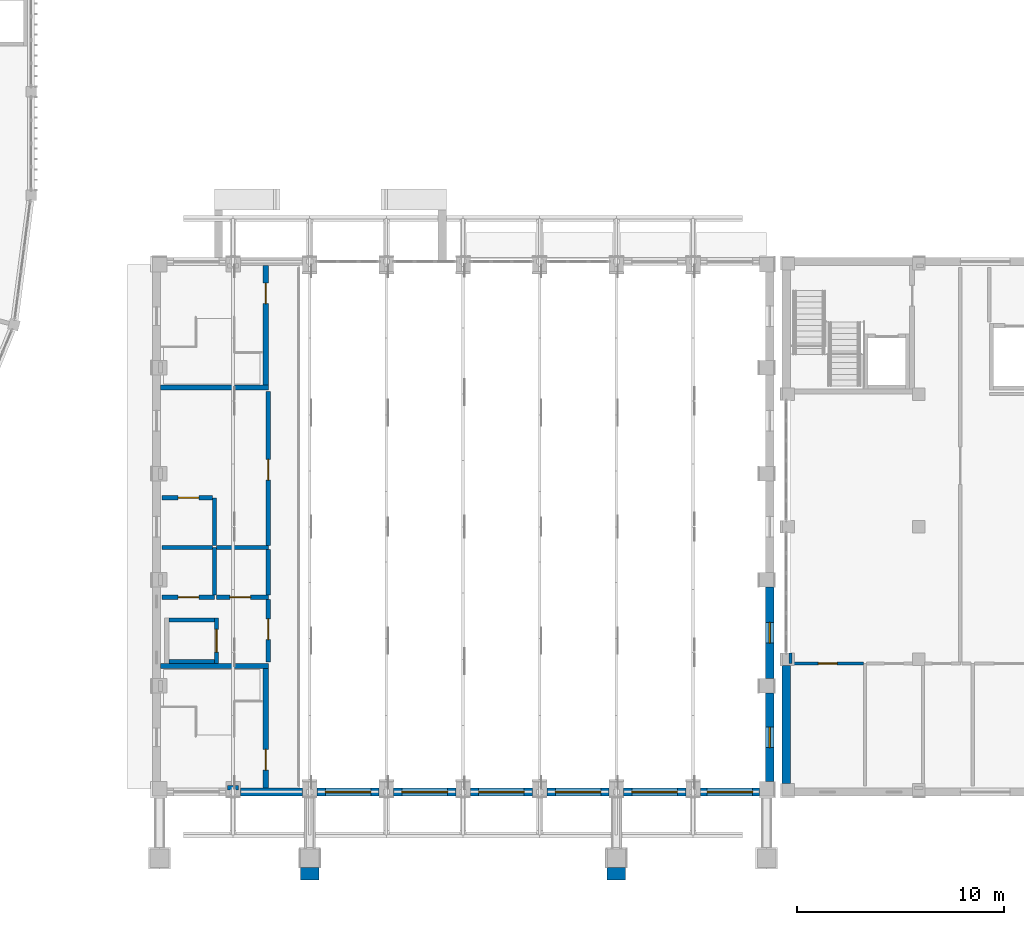
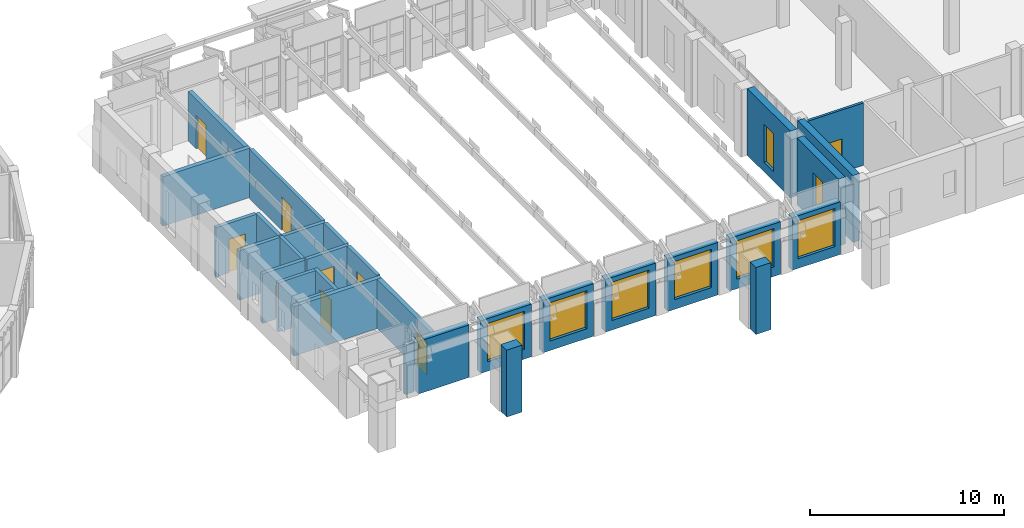
# One storey, part 58 of 99: 32 walls, 9 doors, 8 windows, 17 openings.
"""IFC4 building model written with IfcOpenShell, lengths in metres."""

from ifc_helpers import new_model, si_unit, direction, frame, frame_2d, origin, place, context, subcontext, project, spatial, rectangle, extrude, material, layer, layer_set, type_object, element, fill, save


model = new_model("IFC4")

# Units and contexts
model_context = context("Model", 3, precision=1e-05, world=origin(), true_north=direction((0.0, 1.0)))
body_context = subcontext(model_context, "Body", "Model", "MODEL_VIEW")
ifc_project = project(units=[si_unit("LENGTHUNIT", "METRE"), si_unit("AREAUNIT", "SQUARE_METRE"), si_unit("VOLUMEUNIT", "CUBIC_METRE"), si_unit("PLANEANGLEUNIT", "RADIAN"), si_unit("MASSUNIT", "GRAM", prefix="KILO")], contexts=[model_context])

# Site, building, storey
site_placement = place(None, origin())
site = spatial("IfcSite", under=ifc_project, at=site_placement, CompositionType="ELEMENT")
building_placement = place(site_placement, origin())
building = spatial("IfcBuilding", under=site, at=building_placement, Name="Wasatch Bagh Community Centre", CompositionType="ELEMENT")
storey_placement = place(building_placement, frame((0.0, 0.0, 4.199951171875)))
storey = spatial("IfcBuildingStorey", under=building, at=storey_placement, Name="L01", CompositionType="ELEMENT", Elevation=4.199951171875)

# Walls
ifc_material_1 = material(Name="Concrete C40", Category="concrete")
ifc_layer_1 = layer(ifc_material_1, 0.60009765625)
ifc_layer_set_1 = layer_set([ifc_layer_1], Name="Concrete C40")
wall_type_1 = type_object("IfcWallType", Name="CL-W4", PredefinedType="STANDARD", material=ifc_layer_set_1)
for number, where, z_axis, x_axis, name in (
    (1, (73.14990234375, 2.25, 0.0), (0.0, 0.0, 1.0), (1.0, 0.0, 0.0), "CL-W4 pier buttress DHP2"),
    (2, (87.949951171875, 2.25, 0.0), (0.0, 0.0, 1.0), (1.0, 0.0, 0.0), "CL-W4 pier buttress DHP3"),
):
    element("IfcWall", number, at=place(storey_placement, frame(where, z_axis=z_axis, x_axis=x_axis)), inside=storey, type_object=wall_type_1, Name=name, PredefinedType="STANDARD", context=body_context, shape_type="SweptSolid", body=[
        extrude(rectangle(XDim=0.900146484375, YDim=0.60009765625, at=frame_2d((0.4501953125, 0.0))), origin(), (0.0, 0.0, 1.0), 4.199951171875),
    ])

# Wall, opening, door
ifc_layer_2 = layer(ifc_material_1, 0.199951171875)
ifc_layer_set_2 = layer_set([ifc_layer_2], Name="Concrete C40")
wall_type_2 = type_object("IfcWallType", Name="DH RC WALL 200 shear", PredefinedType="SHEAR", material=ifc_layer_set_2)
wall_1_placement = place(storey_placement, frame((69.10009765625, 12.39990234375, 0.0), z_axis=(0.0, 0.0, 1.0), x_axis=(0.0, 1.0, 0.0)))
wall_1 = element("IfcWall", 3, at=wall_1_placement, inside=storey, type_object=wall_type_2, Name="DH.core.LF4.L01.E", PredefinedType="SHEAR", context=body_context, shape_type="SweptSolid", body=[
    extrude(rectangle(XDim=2.2001953125, YDim=0.199951171875, at=frame_2d((1.10009765625, 0.0))), origin(), (0.0, 0.0, 1.0), 3.10009765625),
])
opening_1_placement = place(wall_1_placement, frame((0.550048828125, 0.0, 0.0)))
opening_1 = element("IfcOpeningElement", 4, at=opening_1_placement, cuts=wall_1, Name="Opening 1D-01", PredefinedType="OPENING", context=body_context, shape_type="SweptSolid", body=[
    extrude(rectangle(XDim=1.10009765625, YDim=2.10009765625, at=frame_2d((0.550048828125, 1.050048828125))), frame((0.0, 0.10986328125, 0.0), z_axis=(0.0, -1.0, 0.0), x_axis=(1.0, 0.0, 0.0)), (0.0, 0.0, 1.0), 0.219970703125),
])
ifc_material_2 = material(Name="Stainless steel", Category="steel")
door_type_1 = type_object("IfcDoorType", Name="DH door 1100x2100 landing", OperationType="SLIDING_TO_LEFT", PredefinedType="DOOR", material=ifc_material_2)
door_1_placement = place(opening_1_placement, origin())
door_1 = element("IfcDoor", 5, at=door_1_placement, inside=storey, type_object=door_type_1, Name="DH.door.L01.1D-01", OperationType="SLIDING_TO_LEFT", OverallHeight=2.10009765625, OverallWidth=1.10009765625, PredefinedType="DOOR", context=body_context, shape_type="SweptSolid", body=[
    extrude(rectangle(XDim=1.10009765625, YDim=2.10009765625, at=frame_2d((0.550048828125, 1.050048828125))), frame((0.0, 0.02490234375, 0.0), z_axis=(0.0, -1.0, 0.0), x_axis=(1.0, 0.0, 0.0)), (0.0, 0.0, 1.0), 0.050048828125),
])
fill(opening_1, door_1)

# Walls
for number, where, z_axis, x_axis, name in (
    (6, (66.800048828125, 12.5, 0.0), (0.0, 0.0, 1.0), (1.0, 0.0, 0.0), "DH.core.LF4.L01.S"),
    (7, (66.800048828125, 14.5, 0.0), (0.0, 0.0, 1.0), (1.0, 0.0, 0.0), "DH.core.LF4.L01.N"),
):
    element("IfcWall", number, at=place(storey_placement, frame(where, z_axis=z_axis, x_axis=x_axis)), inside=storey, type_object=wall_type_2, Name=name, PredefinedType="SHEAR", context=body_context, shape_type="SweptSolid", body=[
        extrude(rectangle(XDim=2.199951171875, YDim=0.199951171875, at=frame_2d((1.10009765625, 0.0))), origin(), (0.0, 0.0, 1.0), 3.10009765625),
    ])

# Wall, opening, door
ifc_layer_3 = layer(ifc_material_1, 0.25)
ifc_layer_set_3 = layer_set([ifc_layer_3], Name="Concrete C40")
wall_type_3 = type_object("IfcWallType", Name="DH RC WALL 250 shear", PredefinedType="SHEAR", material=ifc_layer_set_3)
wall_2_placement = place(storey_placement, frame((71.47509765625, 6.39990234375, 0.0), z_axis=(0.0, 0.0, 1.0), x_axis=(0.0, 1.0, 0.0)))
wall_2 = element("IfcWall", 8, at=wall_2_placement, inside=storey, type_object=wall_type_3, Name="DH.core.ST6.L01.E", PredefinedType="SHEAR", context=body_context, shape_type="SweptSolid", body=[
    extrude(rectangle(XDim=5.75, YDim=0.25, at=frame_2d((2.875, 0.0))), origin(), (0.0, 0.0, 1.0), 3.10009765625),
])
opening_2_placement = place(wall_2_placement, frame((0.85009765625, 0.0, 0.0)))
opening_2 = element("IfcOpeningElement", 9, at=opening_2_placement, cuts=wall_2, Name="Opening 1D-02", PredefinedType="OPENING", context=body_context, shape_type="SweptSolid", body=[
    extrude(rectangle(XDim=1.0, YDim=2.10009765625, at=frame_2d((0.5, 1.050048828125))), frame((0.0, 0.135009765625, 0.0), z_axis=(0.0, -1.0, 0.0), x_axis=(1.0, 0.0, 0.0)), (0.0, 0.0, 1.0), 0.27001953125),
])
ifc_material_3 = material(Name="Painted hardwood timber", Category="wood")
door_type_2 = type_object("IfcDoorType", Name="DH door 1000x2100 single", OperationType="SINGLE_SWING_LEFT", PredefinedType="DOOR", material=ifc_material_3)
door_2_placement = place(opening_2_placement, origin())
door_2 = element("IfcDoor", 10, at=door_2_placement, inside=storey, type_object=door_type_2, Name="DH.door.L01.1D-02", OperationType="SINGLE_SWING_LEFT", OverallHeight=2.10009765625, OverallWidth=1.0, PredefinedType="DOOR", context=body_context, shape_type="SweptSolid", body=[
    extrude(rectangle(XDim=1.0, YDim=2.10009765625, at=frame_2d((0.5, 1.050048828125))), frame((0.0, 0.02490234375, 0.0), z_axis=(0.0, -1.0, 0.0), x_axis=(1.0, 0.0, 0.0)), (0.0, 0.0, 1.0), 0.050048828125),
])
fill(opening_2, door_2)

# Wall
wall_3_placement = place(storey_placement, frame((66.39990234375, 12.27490234375, 0.0), z_axis=(0.0, 0.0, 1.0), x_axis=(1.0, 0.0, 0.0)))
element("IfcWall", 11, at=wall_3_placement, inside=storey, type_object=wall_type_3, Name="DH.core.ST6.L01.N", PredefinedType="SHEAR", context=body_context, shape_type="SweptSolid", body=[
    extrude(rectangle(XDim=5.2001953125, YDim=0.25, at=frame_2d((2.60009765625, 0.0))), origin(), (0.0, 0.0, 1.0), 3.10009765625),
])

# Wall, opening, door
wall_4_placement = place(storey_placement, frame((71.47509765625, 25.85009765625, 0.0), z_axis=(0.0, 0.0, 1.0), x_axis=(0.0, 1.0, 0.0)))
wall_4 = element("IfcWall", 12, at=wall_4_placement, inside=storey, type_object=wall_type_3, Name="DH.core.ST7.L01.E", PredefinedType="SHEAR", context=body_context, shape_type="SweptSolid", body=[
    extrude(rectangle(XDim=5.75, YDim=0.25, at=frame_2d((2.875, 0.0))), origin(), (0.0, 0.0, 1.0), 3.10009765625),
])
opening_3_placement = place(wall_4_placement, frame((3.914306640625, 0.0, 0.0)))
opening_3 = element("IfcOpeningElement", 13, at=opening_3_placement, cuts=wall_4, Name="Opening 1D-07", PredefinedType="OPENING", context=body_context, shape_type="SweptSolid", body=[
    extrude(rectangle(XDim=1.0, YDim=2.10009765625, at=frame_2d((0.5, 1.050048828125))), frame((0.0, 0.135009765625, 0.0), z_axis=(0.0, -1.0, 0.0), x_axis=(1.0, 0.0, 0.0)), (0.0, 0.0, 1.0), 0.27001953125),
])
door_3_placement = place(opening_3_placement, origin())
door_3 = element("IfcDoor", 14, at=door_3_placement, inside=storey, type_object=door_type_2, Name="DH.door.L01.1D-07", OperationType="SINGLE_SWING_LEFT", OverallHeight=2.10009765625, OverallWidth=1.0, PredefinedType="DOOR", context=body_context, shape_type="SweptSolid", body=[
    extrude(rectangle(XDim=1.0, YDim=2.10009765625, at=frame_2d((0.5, 1.050048828125))), frame((0.0, 0.02490234375, 0.0), z_axis=(0.0, -1.0, 0.0), x_axis=(1.0, 0.0, 0.0)), (0.0, 0.0, 1.0), 0.050048828125),
])
fill(opening_3, door_3)

# Walls
wall_5_placement = place(storey_placement, frame((66.39990234375, 25.72509765625, 0.0), z_axis=(0.0, 0.0, 1.0), x_axis=(1.0, 0.0, 0.0)))
element("IfcWall", 15, at=wall_5_placement, inside=storey, type_object=wall_type_3, Name="DH.core.ST7.L01.S", PredefinedType="SHEAR", context=body_context, shape_type="SweptSolid", body=[
    extrude(rectangle(XDim=5.2001953125, YDim=0.25, at=frame_2d((2.60009765625, 0.0))), origin(), (0.0, 0.0, 1.0), 3.10009765625),
])
ifc_layer_4 = layer(ifc_material_1, 0.39990234375)
ifc_layer_set_4 = layer_set([ifc_layer_4], Name="Concrete C40")
wall_type_4 = type_object("IfcWallType", Name="DH RC WALL 400 solidwall", PredefinedType="SOLIDWALL", material=ifc_layer_set_4)
wall_6_placement = place(storey_placement, frame((73.25, 6.199951171875, 0.0), z_axis=(0.0, 0.0, 1.0), x_axis=(-1.0, 0.0, 0.0)))
element("IfcWall", 16, at=wall_6_placement, inside=storey, type_object=wall_type_4, Name="DH.wall.L01.02", PredefinedType="SOLIDWALL", context=body_context, shape_type="SweptSolid", body=[
    extrude(rectangle(XDim=3.0, YDim=0.39990234375, at=frame_2d((1.5, 0.0))), origin(), (0.0, 0.0, 1.0), 3.300048828125),
])

# Wall, opening, window
wall_7_placement = place(storey_placement, frame((76.949951171875, 6.199951171875, 0.0), z_axis=(0.0, 0.0, 1.0), x_axis=(-1.0, 0.0, 0.0)))
wall_7 = element("IfcWall", 17, at=wall_7_placement, inside=storey, type_object=wall_type_4, Name="DH.wall.L01.03", PredefinedType="SOLIDWALL", context=body_context, shape_type="SweptSolid", body=[
    extrude(rectangle(XDim=3.0, YDim=0.39990234375, at=frame_2d((1.5, 0.0))), origin(), (0.0, 0.0, 1.0), 3.300048828125),
])
opening_4_placement = place(wall_7_placement, frame((0.39990234375, 0.0, 0.60009765625)))
opening_4 = element("IfcOpeningElement", 18, at=opening_4_placement, cuts=wall_7, Name="Opening 1D-W02", PredefinedType="OPENING", context=body_context, shape_type="SweptSolid", body=[
    extrude(rectangle(XDim=2.199951171875, YDim=2.39990234375, at=frame_2d((1.10009765625, 1.199951171875))), frame((0.0, 0.2099609375, 0.0), z_axis=(0.0, -1.0, 0.0), x_axis=(1.0, 0.0, 0.0)), (0.0, 0.0, 1.0), 0.419921875),
])
ifc_material_4 = material(Name="Aluminium frame with double glazing", Category="aluminium")
window_type_1 = type_object("IfcWindowType", Name="DH window 2200x2400", PartitioningType="SINGLE_PANEL", PredefinedType="WINDOW", material=ifc_material_4)
window_1_placement = place(opening_4_placement, origin())
window_1 = element("IfcWindow", 19, at=window_1_placement, inside=storey, type_object=window_type_1, Name="DH.window.L01.1D-W02", OverallHeight=2.39990234375, OverallWidth=2.199951171875, PartitioningType="SINGLE_PANEL", PredefinedType="WINDOW", context=body_context, shape_type="SweptSolid", body=[
    extrude(rectangle(XDim=2.199951171875, YDim=2.39990234375, at=frame_2d((1.10009765625, 1.199951171875))), frame((0.0, 0.030029296875, 0.0), z_axis=(0.0, -1.0, 0.0), x_axis=(1.0, 0.0, 0.0)), (0.0, 0.0, 1.0), 0.06005859375),
])
fill(opening_4, window_1)

wall_8_placement = place(storey_placement, frame((80.64990234375, 6.199951171875, 0.0), z_axis=(0.0, 0.0, 1.0), x_axis=(-1.0, 0.0, 0.0)))
wall_8 = element("IfcWall", 20, at=wall_8_placement, inside=storey, type_object=wall_type_4, Name="DH.wall.L01.04", PredefinedType="SOLIDWALL", context=body_context, shape_type="SweptSolid", body=[
    extrude(rectangle(XDim=3.0, YDim=0.39990234375, at=frame_2d((1.5, 0.0))), origin(), (0.0, 0.0, 1.0), 3.300048828125),
])
opening_5_placement = place(wall_8_placement, frame((0.39990234375, 0.0, 0.60009765625)))
opening_5 = element("IfcOpeningElement", 21, at=opening_5_placement, cuts=wall_8, Name="Opening 1D-W03", PredefinedType="OPENING", context=body_context, shape_type="SweptSolid", body=[
    extrude(rectangle(XDim=2.199951171875, YDim=2.39990234375, at=frame_2d((1.10009765625, 1.199951171875))), frame((0.0, 0.2099609375, 0.0), z_axis=(0.0, -1.0, 0.0), x_axis=(1.0, 0.0, 0.0)), (0.0, 0.0, 1.0), 0.419921875),
])
window_2_placement = place(opening_5_placement, origin())
window_2 = element("IfcWindow", 22, at=window_2_placement, inside=storey, type_object=window_type_1, Name="DH.window.L01.1D-W03", OverallHeight=2.39990234375, OverallWidth=2.199951171875, PartitioningType="SINGLE_PANEL", PredefinedType="WINDOW", context=body_context, shape_type="SweptSolid", body=[
    extrude(rectangle(XDim=2.199951171875, YDim=2.39990234375, at=frame_2d((1.10009765625, 1.199951171875))), frame((0.0, 0.030029296875, 0.0), z_axis=(0.0, -1.0, 0.0), x_axis=(1.0, 0.0, 0.0)), (0.0, 0.0, 1.0), 0.06005859375),
])
fill(opening_5, window_2)

wall_9_placement = place(storey_placement, frame((84.35009765625, 6.199951171875, 0.0), z_axis=(0.0, 0.0, 1.0), x_axis=(-1.0, 0.0, 0.0)))
wall_9 = element("IfcWall", 23, at=wall_9_placement, inside=storey, type_object=wall_type_4, Name="DH.wall.L01.05", PredefinedType="SOLIDWALL", context=body_context, shape_type="SweptSolid", body=[
    extrude(rectangle(XDim=3.0, YDim=0.39990234375, at=frame_2d((1.5, 0.0))), origin(), (0.0, 0.0, 1.0), 3.300048828125),
])
opening_6_placement = place(wall_9_placement, frame((0.39990234375, 0.0, 0.60009765625)))
opening_6 = element("IfcOpeningElement", 24, at=opening_6_placement, cuts=wall_9, Name="Opening 1D-W04", PredefinedType="OPENING", context=body_context, shape_type="SweptSolid", body=[
    extrude(rectangle(XDim=2.199951171875, YDim=2.39990234375, at=frame_2d((1.10009765625, 1.199951171875))), frame((0.0, 0.2099609375, 0.0), z_axis=(0.0, -1.0, 0.0), x_axis=(1.0, 0.0, 0.0)), (0.0, 0.0, 1.0), 0.419921875),
])
window_3_placement = place(opening_6_placement, origin())
window_3 = element("IfcWindow", 25, at=window_3_placement, inside=storey, type_object=window_type_1, Name="DH.window.L01.1D-W04", OverallHeight=2.39990234375, OverallWidth=2.199951171875, PartitioningType="SINGLE_PANEL", PredefinedType="WINDOW", context=body_context, shape_type="SweptSolid", body=[
    extrude(rectangle(XDim=2.199951171875, YDim=2.39990234375, at=frame_2d((1.10009765625, 1.199951171875))), frame((0.0, 0.030029296875, 0.0), z_axis=(0.0, -1.0, 0.0), x_axis=(1.0, 0.0, 0.0)), (0.0, 0.0, 1.0), 0.06005859375),
])
fill(opening_6, window_3)

wall_10_placement = place(storey_placement, frame((88.050048828125, 6.199951171875, 0.0), z_axis=(0.0, 0.0, 1.0), x_axis=(-1.0, 0.0, 0.0)))
wall_10 = element("IfcWall", 26, at=wall_10_placement, inside=storey, type_object=wall_type_4, Name="DH.wall.L01.06", PredefinedType="SOLIDWALL", context=body_context, shape_type="SweptSolid", body=[
    extrude(rectangle(XDim=3.0, YDim=0.39990234375, at=frame_2d((1.5, 0.0))), origin(), (0.0, 0.0, 1.0), 3.300048828125),
])
opening_7_placement = place(wall_10_placement, frame((0.39990234375, 0.0, 0.60009765625)))
opening_7 = element("IfcOpeningElement", 27, at=opening_7_placement, cuts=wall_10, Name="Opening 1D-W05", PredefinedType="OPENING", context=body_context, shape_type="SweptSolid", body=[
    extrude(rectangle(XDim=2.199951171875, YDim=2.39990234375, at=frame_2d((1.10009765625, 1.199951171875))), frame((0.0, 0.2099609375, 0.0), z_axis=(0.0, -1.0, 0.0), x_axis=(1.0, 0.0, 0.0)), (0.0, 0.0, 1.0), 0.419921875),
])
window_4_placement = place(opening_7_placement, origin())
window_4 = element("IfcWindow", 28, at=window_4_placement, inside=storey, type_object=window_type_1, Name="DH.window.L01.1D-W05", OverallHeight=2.39990234375, OverallWidth=2.199951171875, PartitioningType="SINGLE_PANEL", PredefinedType="WINDOW", context=body_context, shape_type="SweptSolid", body=[
    extrude(rectangle(XDim=2.199951171875, YDim=2.39990234375, at=frame_2d((1.10009765625, 1.199951171875))), frame((0.0, 0.030029296875, 0.0), z_axis=(0.0, -1.0, 0.0), x_axis=(1.0, 0.0, 0.0)), (0.0, 0.0, 1.0), 0.06005859375),
])
fill(opening_7, window_4)

wall_11_placement = place(storey_placement, frame((91.75, 6.199951171875, 0.0), z_axis=(0.0, 0.0, 1.0), x_axis=(-1.0, 0.0, 0.0)))
wall_11 = element("IfcWall", 29, at=wall_11_placement, inside=storey, type_object=wall_type_4, Name="DH.wall.L01.07", PredefinedType="SOLIDWALL", context=body_context, shape_type="SweptSolid", body=[
    extrude(rectangle(XDim=3.0, YDim=0.39990234375, at=frame_2d((1.5, 0.0))), origin(), (0.0, 0.0, 1.0), 3.300048828125),
])
opening_8_placement = place(wall_11_placement, frame((0.39990234375, 0.0, 0.60009765625)))
opening_8 = element("IfcOpeningElement", 30, at=opening_8_placement, cuts=wall_11, Name="Opening 1D-W06", PredefinedType="OPENING", context=body_context, shape_type="SweptSolid", body=[
    extrude(rectangle(XDim=2.199951171875, YDim=2.39990234375, at=frame_2d((1.10009765625, 1.199951171875))), frame((0.0, 0.2099609375, 0.0), z_axis=(0.0, -1.0, 0.0), x_axis=(1.0, 0.0, 0.0)), (0.0, 0.0, 1.0), 0.419921875),
])
window_5_placement = place(opening_8_placement, origin())
window_5 = element("IfcWindow", 31, at=window_5_placement, inside=storey, type_object=window_type_1, Name="DH.window.L01.1D-W06", OverallHeight=2.39990234375, OverallWidth=2.199951171875, PartitioningType="SINGLE_PANEL", PredefinedType="WINDOW", context=body_context, shape_type="SweptSolid", body=[
    extrude(rectangle(XDim=2.199951171875, YDim=2.39990234375, at=frame_2d((1.10009765625, 1.199951171875))), frame((0.0, 0.030029296875, 0.0), z_axis=(0.0, -1.0, 0.0), x_axis=(1.0, 0.0, 0.0)), (0.0, 0.0, 1.0), 0.06005859375),
])
fill(opening_8, window_5)

wall_12_placement = place(storey_placement, frame((95.300048828125, 6.199951171875, 0.0), z_axis=(0.0, 0.0, 1.0), x_axis=(-1.0, 0.0, 0.0)))
wall_12 = element("IfcWall", 32, at=wall_12_placement, inside=storey, type_object=wall_type_4, Name="DH.wall.L01.08", PredefinedType="SOLIDWALL", context=body_context, shape_type="SweptSolid", body=[
    extrude(rectangle(XDim=2.85009765625, YDim=0.39990234375, at=frame_2d((1.425048828125, 0.0))), origin(), (0.0, 0.0, 1.0), 3.300048828125),
])
opening_9_placement = place(wall_12_placement, frame((0.324951171875, 0.0, 0.60009765625)))
opening_9 = element("IfcOpeningElement", 33, at=opening_9_placement, cuts=wall_12, Name="Opening 1D-W07", PredefinedType="OPENING", context=body_context, shape_type="SweptSolid", body=[
    extrude(rectangle(XDim=2.199951171875, YDim=2.39990234375, at=frame_2d((1.10009765625, 1.199951171875))), frame((0.0, 0.2099609375, 0.0), z_axis=(0.0, -1.0, 0.0), x_axis=(1.0, 0.0, 0.0)), (0.0, 0.0, 1.0), 0.419921875),
])
window_6_placement = place(opening_9_placement, origin())
window_6 = element("IfcWindow", 34, at=window_6_placement, inside=storey, type_object=window_type_1, Name="DH.window.L01.1D-W07", OverallHeight=2.39990234375, OverallWidth=2.199951171875, PartitioningType="SINGLE_PANEL", PredefinedType="WINDOW", context=body_context, shape_type="SweptSolid", body=[
    extrude(rectangle(XDim=2.199951171875, YDim=2.39990234375, at=frame_2d((1.10009765625, 1.199951171875))), frame((0.0, 0.030029296875, 0.0), z_axis=(0.0, -1.0, 0.0), x_axis=(1.0, 0.0, 0.0)), (0.0, 0.0, 1.0), 0.06005859375),
])
fill(opening_9, window_6)

wall_13_placement = place(storey_placement, frame((95.800048828125, 6.699951171875, 0.0), z_axis=(0.0, 0.0, 1.0), x_axis=(0.0, 1.0, 0.0)))
wall_13 = element("IfcWall", 35, at=wall_13_placement, inside=storey, type_object=wall_type_4, Name="DH.wall.L01.22", PredefinedType="SOLIDWALL", context=body_context, shape_type="SweptSolid", body=[
    extrude(rectangle(XDim=4.27001953125, YDim=0.39990234375, at=frame_2d((2.135009765625, 0.0))), origin(), (0.0, 0.0, 1.0), 4.199951171875),
])
opening_10_placement = place(wall_13_placement, frame((1.635009765625, 0.0, 0.60009765625)))
opening_10 = element("IfcOpeningElement", 36, at=opening_10_placement, cuts=wall_13, Name="Opening 1D-W17", PredefinedType="OPENING", context=body_context, shape_type="SweptSolid", body=[
    extrude(rectangle(XDim=1.0, YDim=2.39990234375, at=frame_2d((0.5, 1.199951171875))), frame((0.0, 0.2099609375, 0.0), z_axis=(0.0, -1.0, 0.0), x_axis=(1.0, 0.0, 0.0)), (0.0, 0.0, 1.0), 0.419921875),
])
window_type_2 = type_object("IfcWindowType", Name="DH window 1000x2400", PartitioningType="SINGLE_PANEL", PredefinedType="WINDOW", material=ifc_material_4)
window_7_placement = place(opening_10_placement, origin())
window_7 = element("IfcWindow", 37, at=window_7_placement, inside=storey, type_object=window_type_2, Name="DH.window.L01.1D-W17", OverallHeight=2.39990234375, OverallWidth=1.0, PartitioningType="SINGLE_PANEL", PredefinedType="WINDOW", context=body_context, shape_type="SweptSolid", body=[
    extrude(rectangle(XDim=1.0, YDim=2.39990234375, at=frame_2d((0.5, 1.199951171875))), frame((0.0, 0.030029296875, 0.0), z_axis=(0.0, -1.0, 0.0), x_axis=(1.0, 0.0, 0.0)), (0.0, 0.0, 1.0), 0.06005859375),
])
fill(opening_10, window_7)

wall_14_placement = place(storey_placement, frame((95.800048828125, 11.669921875, 0.0), z_axis=(0.0, 0.0, 1.0), x_axis=(0.0, 1.0, 0.0)))
wall_14 = element("IfcWall", 38, at=wall_14_placement, inside=storey, type_object=wall_type_4, Name="DH.wall.L01.23", PredefinedType="SOLIDWALL", context=body_context, shape_type="SweptSolid", body=[
    extrude(rectangle(XDim=4.420166015625, YDim=0.39990234375, at=frame_2d((2.2099609375, 0.0))), origin(), (0.0, 0.0, 1.0), 4.199951171875),
])
opening_11_placement = place(wall_14_placement, frame((1.7099609375, 0.0, 0.60009765625)))
opening_11 = element("IfcOpeningElement", 39, at=opening_11_placement, cuts=wall_14, Name="Opening 1D-W18", PredefinedType="OPENING", context=body_context, shape_type="SweptSolid", body=[
    extrude(rectangle(XDim=1.0, YDim=2.39990234375, at=frame_2d((0.5, 1.199951171875))), frame((0.0, 0.2099609375, 0.0), z_axis=(0.0, -1.0, 0.0), x_axis=(1.0, 0.0, 0.0)), (0.0, 0.0, 1.0), 0.419921875),
])
window_8_placement = place(opening_11_placement, origin())
window_8 = element("IfcWindow", 40, at=window_8_placement, inside=storey, type_object=window_type_2, Name="DH.window.L01.1D-W18", OverallHeight=2.39990234375, OverallWidth=1.0, PartitioningType="SINGLE_PANEL", PredefinedType="WINDOW", context=body_context, shape_type="SweptSolid", body=[
    extrude(rectangle(XDim=1.0, YDim=2.39990234375, at=frame_2d((0.5, 1.199951171875))), frame((0.0, 0.030029296875, 0.0), z_axis=(0.0, -1.0, 0.0), x_axis=(1.0, 0.0, 0.0)), (0.0, 0.0, 1.0), 0.06005859375),
])
fill(opening_11, window_8)

# Wall, opening, door
ifc_material_5 = material(Name="Hollow block masonry, medium weight (ASTM Grade N)", Category="masonry")
ifc_layer_5 = layer(ifc_material_5, 0.2099609375)
ifc_layer_set_5 = layer_set([ifc_layer_5], Name="Hollow block masonry, medium weight (ASTM Grade N)")
wall_type_5 = type_object("IfcWallType", Name="DH partition 210", PredefinedType="PARTITIONING", material=ifc_layer_set_5)
wall_15_placement = place(storey_placement, frame((66.47998046875, 15.60009765625, 0.0), z_axis=(0.0, 0.0, 1.0), x_axis=(1.0, 0.0, 0.0)))
wall_15 = element("IfcWall", 41, at=wall_15_placement, inside=storey, type_object=wall_type_5, Name="DH.part.L01.005", PredefinedType="PARTITIONING", context=body_context, shape_type="SweptSolid", body=[
    extrude(rectangle(XDim=2.52001953125, YDim=0.2099609375, at=frame_2d((1.260009765625, 0.0))), origin(), (0.0, 0.0, 1.0), 3.10009765625),
])
opening_12_placement = place(wall_15_placement, frame((0.77001953125, 0.0, 0.0)))
opening_12 = element("IfcOpeningElement", 42, at=opening_12_placement, cuts=wall_15, Name="Opening 1D-03", PredefinedType="OPENING", context=body_context, shape_type="SweptSolid", body=[
    extrude(rectangle(XDim=1.0, YDim=2.10009765625, at=frame_2d((0.5, 1.050048828125))), frame((0.0, 0.114990234375, 0.0), z_axis=(0.0, -1.0, 0.0), x_axis=(1.0, 0.0, 0.0)), (0.0, 0.0, 1.0), 0.22998046875),
])
door_4_placement = place(opening_12_placement, origin())
door_4 = element("IfcDoor", 43, at=door_4_placement, inside=storey, type_object=door_type_2, Name="DH.door.L01.1D-03", OperationType="SINGLE_SWING_LEFT", OverallHeight=2.10009765625, OverallWidth=1.0, PredefinedType="DOOR", context=body_context, shape_type="SweptSolid", body=[
    extrude(rectangle(XDim=1.0, YDim=2.10009765625, at=frame_2d((0.5, 1.050048828125))), frame((0.0, 0.02490234375, 0.0), z_axis=(0.0, -1.0, 0.0), x_axis=(1.0, 0.0, 0.0)), (0.0, 0.0, 1.0), 0.050048828125),
])
fill(opening_12, door_4)

# Wall
wall_16_placement = place(storey_placement, frame((68.89501953125, 18.0, 0.0), z_axis=(0.0, 0.0, 1.0), x_axis=(-1.0, 0.0, 0.0)))
element("IfcWall", 44, at=wall_16_placement, inside=storey, type_object=wall_type_5, Name="DH.part.L01.006", PredefinedType="PARTITIONING", context=body_context, shape_type="SweptSolid", body=[
    extrude(rectangle(XDim=2.4150390625, YDim=0.2099609375, at=frame_2d((1.20751953125, 0.0))), origin(), (0.0, 0.0, 1.0), 3.10009765625),
])

# Wall, opening, door
wall_17_placement = place(storey_placement, frame((68.89501953125, 20.39990234375, 0.0), z_axis=(0.0, 0.0, 1.0), x_axis=(-1.0, 0.0, 0.0)))
wall_17 = element("IfcWall", 45, at=wall_17_placement, inside=storey, type_object=wall_type_5, Name="DH.part.L01.007", PredefinedType="PARTITIONING", context=body_context, shape_type="SweptSolid", body=[
    extrude(rectangle(XDim=2.4150390625, YDim=0.2099609375, at=frame_2d((1.20751953125, 0.0))), origin(), (0.0, 0.0, 1.0), 3.10009765625),
])
opening_13_placement = place(wall_17_placement, frame((0.64501953125, 0.0, 0.0)))
opening_13 = element("IfcOpeningElement", 46, at=opening_13_placement, cuts=wall_17, Name="Opening 1D-04", PredefinedType="OPENING", context=body_context, shape_type="SweptSolid", body=[
    extrude(rectangle(XDim=1.0, YDim=2.10009765625, at=frame_2d((0.5, 1.050048828125))), frame((0.0, 0.114990234375, 0.0), z_axis=(0.0, -1.0, 0.0), x_axis=(1.0, 0.0, 0.0)), (0.0, 0.0, 1.0), 0.22998046875),
])
door_5_placement = place(opening_13_placement, origin())
door_5 = element("IfcDoor", 47, at=door_5_placement, inside=storey, type_object=door_type_2, Name="DH.door.L01.1D-04", OperationType="SINGLE_SWING_LEFT", OverallHeight=2.10009765625, OverallWidth=1.0, PredefinedType="DOOR", context=body_context, shape_type="SweptSolid", body=[
    extrude(rectangle(XDim=1.0, YDim=2.10009765625, at=frame_2d((0.5, 1.050048828125))), frame((0.0, 0.02490234375, 0.0), z_axis=(0.0, -1.0, 0.0), x_axis=(1.0, 0.0, 0.0)), (0.0, 0.0, 1.0), 0.050048828125),
])
fill(opening_13, door_5)

# Walls
for number, where, z_axis, x_axis, name in (
    (48, (69.0, 15.705078125, 0.0), (0.0, 0.0, 1.0), (0.0, 1.0, 0.0), "DH.part.L01.008"),
    (49, (69.0, 18.10498046875, 0.0), (0.0, 0.0, 1.0), (0.0, 1.0, 0.0), "DH.part.L01.009"),
):
    element("IfcWall", number, at=place(storey_placement, frame(where, z_axis=z_axis, x_axis=x_axis)), inside=storey, type_object=wall_type_5, Name=name, PredefinedType="PARTITIONING", context=body_context, shape_type="SweptSolid", body=[
        extrude(rectangle(XDim=2.294921875, YDim=0.2099609375, at=frame_2d((1.1474609375, 0.0))), origin(), (0.0, 0.0, 1.0), 3.10009765625),
    ])

# Wall, opening, door
wall_18_placement = place(storey_placement, frame((69.10498046875, 15.60009765625, 0.0), z_axis=(0.0, 0.0, 1.0), x_axis=(1.0, 0.0, 0.0)))
wall_18 = element("IfcWall", 50, at=wall_18_placement, inside=storey, type_object=wall_type_5, Name="DH.part.L01.010", PredefinedType="PARTITIONING", context=body_context, shape_type="SweptSolid", body=[
    extrude(rectangle(XDim=2.4951171875, YDim=0.2099609375, at=frame_2d((1.24755859375, 0.0))), origin(), (0.0, 0.0, 1.0), 3.10009765625),
])
opening_14_placement = place(wall_18_placement, frame((0.64501953125, 0.0, 0.0)))
opening_14 = element("IfcOpeningElement", 51, at=opening_14_placement, cuts=wall_18, Name="Opening 1D-06", PredefinedType="OPENING", context=body_context, shape_type="SweptSolid", body=[
    extrude(rectangle(XDim=1.0, YDim=2.10009765625, at=frame_2d((0.5, 1.050048828125))), frame((0.0, 0.114990234375, 0.0), z_axis=(0.0, -1.0, 0.0), x_axis=(1.0, 0.0, 0.0)), (0.0, 0.0, 1.0), 0.22998046875),
])
door_6_placement = place(opening_14_placement, origin())
door_6 = element("IfcDoor", 52, at=door_6_placement, inside=storey, type_object=door_type_2, Name="DH.door.L01.1D-06", OperationType="SINGLE_SWING_LEFT", OverallHeight=2.10009765625, OverallWidth=1.0, PredefinedType="DOOR", context=body_context, shape_type="SweptSolid", body=[
    extrude(rectangle(XDim=1.0, YDim=2.10009765625, at=frame_2d((0.5, 1.050048828125))), frame((0.0, 0.02490234375, 0.0), z_axis=(0.0, -1.0, 0.0), x_axis=(1.0, 0.0, 0.0)), (0.0, 0.0, 1.0), 0.050048828125),
])
fill(opening_14, door_6)

# Walls
wall_19_placement = place(storey_placement, frame((69.10498046875, 18.0, 0.0), z_axis=(0.0, 0.0, 1.0), x_axis=(1.0, 0.0, 0.0)))
element("IfcWall", 53, at=wall_19_placement, inside=storey, type_object=wall_type_5, Name="DH.part.L01.011", PredefinedType="PARTITIONING", context=body_context, shape_type="SweptSolid", body=[
    extrude(rectangle(XDim=2.4951171875, YDim=0.2099609375, at=frame_2d((1.24755859375, 0.0))), origin(), (0.0, 0.0, 1.0), 3.10009765625),
])
wall_20_placement = place(storey_placement, frame((69.6298828125, 6.39990234375, 0.0), z_axis=(0.0, 0.0, 1.0), x_axis=(1.0, 0.0, 0.0)))
element("IfcWall", 54, at=wall_20_placement, inside=storey, type_object=wall_type_5, Name="DH.part.L01.012", PredefinedType="PARTITIONING", context=body_context, shape_type="SweptSolid", body=[
    extrude(rectangle(XDim=0.5400390625, YDim=0.2099609375, at=frame_2d((0.27001953125, 0.0))), origin(), (0.0, 0.0, 1.0), 3.10009765625),
])

# Wall, opening, door
wall_21_placement = place(storey_placement, frame((71.60009765625, 12.47998046875, 0.0), z_axis=(0.0, 0.0, 1.0), x_axis=(0.0, 1.0, 0.0)))
wall_21 = element("IfcWall", 55, at=wall_21_placement, inside=storey, type_object=wall_type_5, Name="DH.part.L01.014", PredefinedType="PARTITIONING", context=body_context, shape_type="SweptSolid", body=[
    extrude(rectangle(XDim=3.01513671875, YDim=0.2099609375, at=frame_2d((1.507568359375, 0.0))), origin(), (0.0, 0.0, 1.0), 3.10009765625),
])
opening_15_placement = place(wall_21_placement, frame((1.070068359375, 0.0, 0.0)))
opening_15 = element("IfcOpeningElement", 56, at=opening_15_placement, cuts=wall_21, Name="Opening 1D-08", PredefinedType="OPENING", context=body_context, shape_type="SweptSolid", body=[
    extrude(rectangle(XDim=1.0, YDim=2.10009765625, at=frame_2d((0.5, 1.050048828125))), frame((0.0, 0.114990234375, 0.0), z_axis=(0.0, -1.0, 0.0), x_axis=(1.0, 0.0, 0.0)), (0.0, 0.0, 1.0), 0.22998046875),
])
door_7_placement = place(opening_15_placement, origin())
door_7 = element("IfcDoor", 57, at=door_7_placement, inside=storey, type_object=door_type_2, Name="DH.door.L01.1D-08", OperationType="SINGLE_SWING_LEFT", OverallHeight=2.10009765625, OverallWidth=1.0, PredefinedType="DOOR", context=body_context, shape_type="SweptSolid", body=[
    extrude(rectangle(XDim=1.0, YDim=2.10009765625, at=frame_2d((0.5, 1.050048828125))), frame((0.0, 0.02490234375, 0.0), z_axis=(0.0, -1.0, 0.0), x_axis=(1.0, 0.0, 0.0)), (0.0, 0.0, 1.0), 0.050048828125),
])
fill(opening_15, door_7)

# Wall
wall_22_placement = place(storey_placement, frame((71.60009765625, 15.705078125, 0.0), z_axis=(0.0, 0.0, 1.0), x_axis=(0.0, 1.0, 0.0)))
element("IfcWall", 58, at=wall_22_placement, inside=storey, type_object=wall_type_5, Name="DH.part.L01.015", PredefinedType="PARTITIONING", context=body_context, shape_type="SweptSolid", body=[
    extrude(rectangle(XDim=2.18994140625, YDim=0.2099609375, at=frame_2d((1.094970703125, 0.0))), origin(), (0.0, 0.0, 1.0), 3.10009765625),
])

# Wall, opening, door
wall_23_placement = place(storey_placement, frame((71.60009765625, 18.10498046875, 0.0), z_axis=(0.0, 0.0, 1.0), x_axis=(0.0, 1.0, 0.0)))
wall_23 = element("IfcWall", 59, at=wall_23_placement, inside=storey, type_object=wall_type_5, Name="DH.part.L01.016", PredefinedType="PARTITIONING", context=body_context, shape_type="SweptSolid", body=[
    extrude(rectangle(XDim=7.4150390625, YDim=0.2099609375, at=frame_2d((3.70751953125, 0.0))), origin(), (0.0, 0.0, 1.0), 3.10009765625),
])
opening_16_placement = place(wall_23_placement, frame((3.14501953125, 0.0, 0.0)))
opening_16 = element("IfcOpeningElement", 60, at=opening_16_placement, cuts=wall_23, Name="Opening 1D-05", PredefinedType="OPENING", context=body_context, shape_type="SweptSolid", body=[
    extrude(rectangle(XDim=1.0, YDim=2.10009765625, at=frame_2d((0.5, 1.050048828125))), frame((0.0, 0.114990234375, 0.0), z_axis=(0.0, -1.0, 0.0), x_axis=(1.0, 0.0, 0.0)), (0.0, 0.0, 1.0), 0.22998046875),
])
door_8_placement = place(opening_16_placement, origin())
door_8 = element("IfcDoor", 61, at=door_8_placement, inside=storey, type_object=door_type_2, Name="DH.door.L01.1D-05", OperationType="SINGLE_SWING_LEFT", OverallHeight=2.10009765625, OverallWidth=1.0, PredefinedType="DOOR", context=body_context, shape_type="SweptSolid", body=[
    extrude(rectangle(XDim=1.0, YDim=2.10009765625, at=frame_2d((0.5, 1.050048828125))), frame((0.0, 0.02490234375, 0.0), z_axis=(0.0, -1.0, 0.0), x_axis=(1.0, 0.0, 0.0)), (0.0, 0.0, 1.0), 0.050048828125),
])
fill(opening_16, door_8)

# Walls
ifc_layer_6 = layer(ifc_material_1, 0.39990234375)
ifc_layer_set_6 = layer_set([ifc_layer_6], Name="Concrete C40")
wall_type_6 = type_object("IfcWallType", Name="KW RC WALL 400 solidwall", PredefinedType="SOLIDWALL", material=ifc_layer_set_6)
wall_24_placement = place(storey_placement, frame((96.60009765625, 6.60009765625, 0.0), z_axis=(0.0, 0.0, 1.0), x_axis=(0.0, 1.0, 0.0)))
element("IfcWall", 62, at=wall_24_placement, inside=storey, type_object=wall_type_6, Name="KW.wall.L01.07", PredefinedType="SOLIDWALL", context=body_context, shape_type="SweptSolid", body=[
    extrude(rectangle(XDim=5.699951171875, YDim=0.39990234375, at=frame_2d((2.85009765625, 0.0))), origin(), (0.0, 0.0, 1.0), 4.199951171875),
])
ifc_layer_7 = layer(ifc_material_5, 0.14990234375)
ifc_layer_set_7 = layer_set([ifc_layer_7], Name="Hollow block masonry, medium weight (ASTM Grade N)")
wall_type_7 = type_object("IfcWallType", Name="KW partition 150", PredefinedType="PARTITIONING", material=ifc_layer_set_7)
wall_25_placement = place(storey_placement, frame((96.800048828125, 12.89990234375, 0.0), z_axis=(0.0, 0.0, 1.0), x_axis=(0.0, -1.0, 0.0)))
element("IfcWall", 63, at=wall_25_placement, inside=storey, type_object=wall_type_7, Name="KW.part.L01.001", PredefinedType="PARTITIONING", context=body_context, shape_type="SweptSolid", body=[
    extrude(rectangle(XDim=0.5, YDim=0.14990234375, at=frame_2d((0.25, 0.0))), origin(), (0.0, 0.0, 1.0), 3.920166015625),
])

# Wall, opening, door
wall_26_placement = place(storey_placement, frame((100.324951171875, 12.39990234375, 0.0), z_axis=(0.0, 0.0, 1.0), x_axis=(-1.0, 0.0, 0.0)))
wall_26 = element("IfcWall", 64, at=wall_26_placement, inside=storey, type_object=wall_type_7, Name="KW.part.L01.002", PredefinedType="PARTITIONING", context=body_context, shape_type="SweptSolid", body=[
    extrude(rectangle(XDim=3.449951171875, YDim=0.14990234375, at=frame_2d((1.72509765625, 0.0))), origin(), (0.0, 0.0, 1.0), 3.920166015625),
])
opening_17_placement = place(wall_26_placement, frame((1.27490234375, 0.0, 0.0)))
opening_17 = element("IfcOpeningElement", 65, at=opening_17_placement, cuts=wall_26, Name="Opening 1K-03", PredefinedType="OPENING", context=body_context, shape_type="SweptSolid", body=[
    extrude(rectangle(XDim=0.89990234375, YDim=2.10009765625, at=frame_2d((0.449951171875, 1.050048828125))), frame((0.0, 0.0849609375, 0.0), z_axis=(0.0, -1.0, 0.0), x_axis=(1.0, 0.0, 0.0)), (0.0, 0.0, 1.0), 0.169921875),
])
door_type_3 = type_object("IfcDoorType", Name="KW door 900x2100 single", OperationType="SINGLE_SWING_LEFT", PredefinedType="DOOR", material=ifc_material_3)
door_9_placement = place(opening_17_placement, origin())
door_9 = element("IfcDoor", 66, at=door_9_placement, inside=storey, type_object=door_type_3, Name="KW.door.L01.1K-03", OperationType="SINGLE_SWING_LEFT", OverallHeight=2.10009765625, OverallWidth=0.89990234375, PredefinedType="DOOR", context=body_context, shape_type="SweptSolid", body=[
    extrude(rectangle(XDim=0.89990234375, YDim=2.10009765625, at=frame_2d((0.449951171875, 1.050048828125))), frame((0.0, 0.02490234375, 0.0), z_axis=(0.0, -1.0, 0.0), x_axis=(1.0, 0.0, 0.0)), (0.0, 0.0, 1.0), 0.050048828125),
])
fill(opening_17, door_9)

save(model, "model.ifc")
